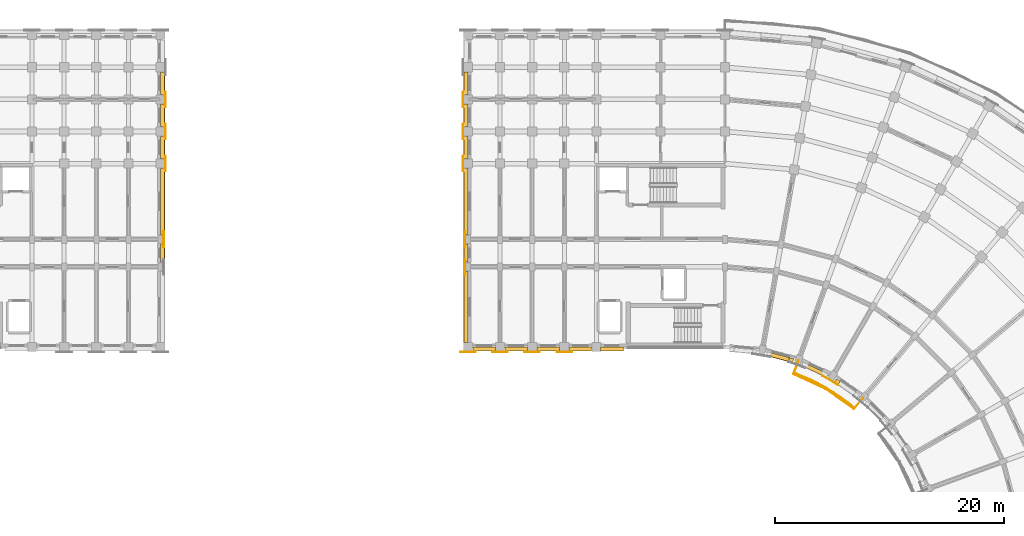
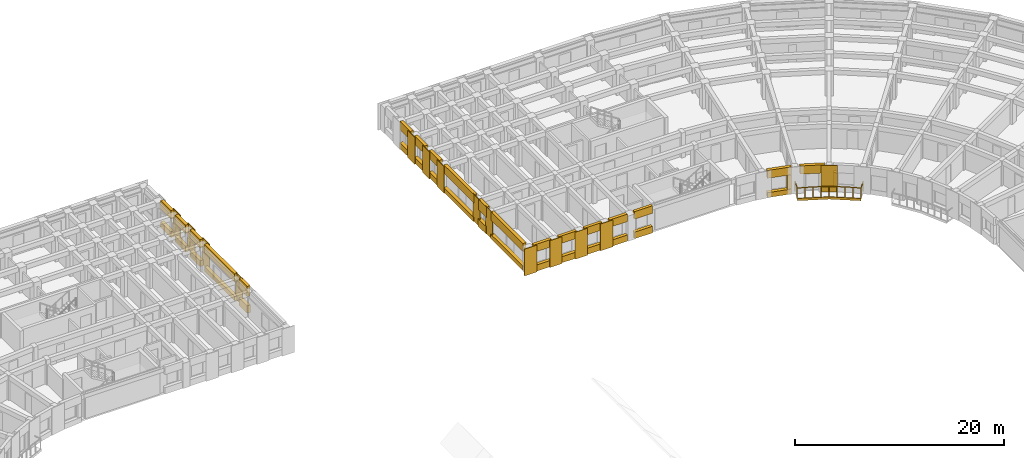
# One storey, part 48 of 54: 52 coverings, 1 railing.
"""IFC4 building model written with IfcOpenShell, lengths in metres."""

from ifc_helpers import new_model, si_unit, direction, frame, origin, origin_2d, place, context, subcontext, project, spatial, polyline, circle, outline, extrude, material, layer, layer_set, type_object, element, save


model = new_model("IFC4")

# Units and contexts
model_context = context("Model", 3, precision=1e-05, world=origin(), true_north=direction((0.0, 1.0)))
body_context = subcontext(model_context, "Body", "Model", "MODEL_VIEW")
ifc_project = project(units=[si_unit("LENGTHUNIT", "METRE"), si_unit("AREAUNIT", "SQUARE_METRE"), si_unit("VOLUMEUNIT", "CUBIC_METRE"), si_unit("PLANEANGLEUNIT", "RADIAN"), si_unit("MASSUNIT", "GRAM", prefix="KILO")], contexts=[model_context])

# Site, building, storey
site_placement = place(None, origin())
site = spatial("IfcSite", under=ifc_project, at=site_placement, CompositionType="ELEMENT")
building_placement = place(site_placement, origin())
building = spatial("IfcBuilding", under=site, at=building_placement, Name="Kiranvali Square Residences", CompositionType="ELEMENT")
storey_placement = place(building_placement, frame((0.0, 0.0, 11.85009765625)))
storey = spatial("IfcBuildingStorey", under=building, at=storey_placement, Name="L03", CompositionType="ELEMENT", Elevation=11.85009765625)

# Coverings
ifc_material_1 = material(Name="Carved Porbandar limestone classical entablature and cornice", Category="masonry")
ifc_layer_1 = layer(ifc_material_1, 0.06201171875)
ifc_layer_set_1 = layer_set([ifc_layer_1], Name="Carved Porbandar limestone classical entablature and cornice")
covering_type_1 = type_object("IfcCoveringType", Name="COV-CLAD-GBAL", PredefinedType="CLADDING", material=ifc_layer_set_1)
covering_1_placement = place(storey_placement, frame((0.0, 0.0, -0.22021484375)))
element("IfcCovering", 1, at=covering_1_placement, inside=storey, type_object=covering_type_1, Name="Block B L03 garden balcony limestone fascia 1", PredefinedType="CLADDING", context=body_context, shape_type="SweptSolid", body=[
    extrude(outline(polyline([(125.778564453125, 104.225830078125), (128.5400390625, 102.938232421875), (131.035888671875, 101.1904296875), (131.07958984375, 101.242431640625), (128.573974609375, 102.9970703125), (125.8017578125, 104.289794921875), (125.778564453125, 104.225830078125)])), origin(), (0.0, 0.0, 1.0), 0.27001953125),
])
ifc_material_2 = material(Name="Honed Porbandar limestone ashlar facade cladding", Category="masonry")
ifc_layer_2 = layer(ifc_material_2, 0.3798828125)
ifc_layer_set_2 = layer_set([ifc_layer_2], Name="Honed Porbandar limestone ashlar facade cladding")
covering_type_2 = type_object("IfcCoveringType", Name="COV-CLAD-JAMB", PredefinedType="CLADDING", material=ifc_layer_set_2)
covering_2_placement = place(storey_placement, frame((0.0, 0.0, 0.572021484375)))
element("IfcCovering", 2, at=covering_2_placement, inside=storey, type_object=covering_type_2, Name="L03 deep limestone window jamb reveal B-L03-GDN-01.R", PredefinedType="CLADDING", context=body_context, shape_type="SweptSolid", body=[
    extrude(outline(polyline([(125.33203125, 105.354736328125), (125.717041015625, 105.251708984375), (125.804931640625, 105.57958984375), (125.419921875, 105.682861328125), (125.33203125, 105.354736328125)])), origin(), (0.0, 0.0, 1.0), 1.64990234375),
])
covering_3_placement = place(storey_placement, frame((0.0, 0.0, 0.621826171875)))
element("IfcCovering", 3, at=covering_3_placement, inside=storey, type_object=covering_type_2, Name="L03 deep limestone window jamb reveal B-L03-GDN-03.L", PredefinedType="CLADDING", context=body_context, shape_type="SweptSolid", body=[
    extrude(outline(polyline([(129.365478515625, 103.55029296875), (129.67138671875, 103.336181640625), (129.8662109375, 103.6142578125), (129.56005859375, 103.828369140625), (129.365478515625, 103.55029296875)])), origin(), (0.0, 0.0, 1.0), 1.60009765625),
])
ifc_layer_3 = layer(ifc_material_2, 0.050048828125)
ifc_layer_set_3 = layer_set([ifc_layer_3], Name="Honed Porbandar limestone ashlar facade cladding")
covering_type_3 = type_object("IfcCoveringType", Name="COV-CLAD-PIER-IN", PredefinedType="CLADDING", material=ifc_layer_set_3)
covering_4_placement = place(storey_placement, frame((0.0, 0.0, 0.0048828125)))
element("IfcCovering", 4, at=covering_4_placement, inside=storey, type_object=covering_type_3, Name="L03 Classical garden courtyard pilaster CLAD-PRIN-B-L03-A03", PredefinedType="CLADDING", context=body_context, shape_type="SweptSolid", body=[
    extrude(outline(polyline([(128.273193359375, 104.075927734375), (129.658935546875, 103.27587890625), (129.692626953125, 103.33447265625), (128.306884765625, 104.134521484375), (128.273193359375, 104.075927734375)])), origin(), (0.0, 0.0, 1.0), 3.14013671875),
])
covering_5_placement = place(storey_placement, frame((0.0, 0.0, 0.0048828125)))
element("IfcCovering", 5, at=covering_5_placement, inside=storey, type_object=covering_type_3, Name="L03 Classical limestone pilaster casing CLAD-PRA1I-B-L03-U140", PredefinedType="CLADDING", context=body_context, shape_type="SweptSolid", body=[
    extrude(outline(polyline([(106.47998046875, 106.199462890625), (105.1201171875, 106.199462890625), (105.1201171875, 106.132080078125), (106.47998046875, 106.132080078125), (106.47998046875, 106.199462890625)])), origin(), (0.0, 0.0, 1.0), 3.14013671875),
])
covering_6_placement = place(storey_placement, frame((0.0, 0.0, 0.0048828125)))
element("IfcCovering", 6, at=covering_6_placement, inside=storey, type_object=covering_type_3, Name="L03 Classical limestone pilaster casing CLAD-PRA1I-B-L03-U167", PredefinedType="CLADDING", context=body_context, shape_type="SweptSolid", body=[
    extrude(outline(polyline([(103.679931640625, 106.199462890625), (102.320068359375, 106.199462890625), (102.320068359375, 106.132080078125), (103.679931640625, 106.132080078125), (103.679931640625, 106.199462890625)])), origin(), (0.0, 0.0, 1.0), 3.14013671875),
])
covering_7_placement = place(storey_placement, frame((0.0, 0.0, 0.0048828125)))
element("IfcCovering", 7, at=covering_7_placement, inside=storey, type_object=covering_type_3, Name="L03 Classical limestone pilaster casing CLAD-PRA1I-B-L03-U195", PredefinedType="CLADDING", context=body_context, shape_type="SweptSolid", body=[
    extrude(outline(polyline([(100.8798828125, 106.199462890625), (99.52001953125, 106.199462890625), (99.52001953125, 106.132080078125), (100.8798828125, 106.132080078125), (100.8798828125, 106.199462890625)])), origin(), (0.0, 0.0, 1.0), 3.14013671875),
])
covering_8_placement = place(storey_placement, frame((0.0, 0.0, 0.0048828125)))
element("IfcCovering", 8, at=covering_8_placement, inside=storey, type_object=covering_type_3, Name="L03 Classical limestone pilaster casing CLAD-PRA1I-B-L03-U224", PredefinedType="CLADDING", context=body_context, shape_type="SweptSolid", body=[
    extrude(outline(polyline([(98.080078125, 106.199462890625), (96.719970703125, 106.199462890625), (96.719970703125, 106.132080078125), (98.080078125, 106.132080078125), (98.080078125, 106.199462890625)])), origin(), (0.0, 0.0, 1.0), 3.14013671875),
])
ifc_layer_4 = layer(ifc_material_2, 0.054931640625)
ifc_layer_set_4 = layer_set([ifc_layer_4], Name="Honed Porbandar limestone ashlar facade cladding")
covering_type_4 = type_object("IfcCoveringType", Name="COV-CLAD-PIER-UP", PredefinedType="CLADDING", material=ifc_layer_set_4)
covering_9_placement = place(storey_placement, frame((0.0, 0.0, 0.0048828125)))
element("IfcCovering", 9, at=covering_9_placement, inside=storey, type_object=covering_type_4, Name="L03 Classical limestone pilaster casing CLAD-PRA1E-A-L03-R282", PredefinedType="CLADDING", context=body_context, shape_type="SweptSolid", body=[
    extrude(outline(polyline([(70.91796875, 115.320068359375), (70.91796875, 116.679931640625), (70.8505859375, 116.679931640625), (70.8505859375, 115.320068359375), (70.91796875, 115.320068359375)])), origin(), (0.0, 0.0, 1.0), 3.14013671875),
])
covering_10_placement = place(storey_placement, frame((0.0, 0.0, 0.0048828125)))
element("IfcCovering", 10, at=covering_10_placement, inside=storey, type_object=covering_type_4, Name="L03 Classical limestone pilaster casing CLAD-PRA1E-A-L03-R348", PredefinedType="CLADDING", context=body_context, shape_type="SweptSolid", body=[
    extrude(outline(polyline([(71.068115234375, 121.919921875), (71.068115234375, 123.280029296875), (71.00048828125, 123.280029296875), (71.00048828125, 121.919921875), (71.068115234375, 121.919921875)])), origin(), (0.0, 0.0, 1.0), 3.14013671875),
])
covering_11_placement = place(storey_placement, frame((0.0, 0.0, 0.0048828125)))
element("IfcCovering", 11, at=covering_11_placement, inside=storey, type_object=covering_type_4, Name="L03 Classical limestone pilaster casing CLAD-PRA1E-A-L03-R376", PredefinedType="CLADDING", context=body_context, shape_type="SweptSolid", body=[
    extrude(outline(polyline([(71.068115234375, 124.719970703125), (71.068115234375, 126.080078125), (71.00048828125, 126.080078125), (71.00048828125, 124.719970703125), (71.068115234375, 124.719970703125)])), origin(), (0.0, 0.0, 1.0), 3.14013671875),
])
covering_12_placement = place(storey_placement, frame((0.0, 0.0, 0.0048828125)))
element("IfcCovering", 12, at=covering_12_placement, inside=storey, type_object=covering_type_4, Name="L03 Classical limestone pilaster casing CLAD-PRA1E-A-L03-R404", PredefinedType="CLADDING", context=body_context, shape_type="SweptSolid", body=[
    extrude(outline(polyline([(71.068115234375, 127.52001953125), (71.068115234375, 128.8798828125), (71.00048828125, 128.8798828125), (71.00048828125, 127.52001953125), (71.068115234375, 127.52001953125)])), origin(), (0.0, 0.0, 1.0), 3.14013671875),
])
covering_13_placement = place(storey_placement, frame((0.0, 0.0, 0.0048828125)))
element("IfcCovering", 13, at=covering_13_placement, inside=storey, type_object=covering_type_4, Name="L03 Classical limestone pilaster casing CLAD-PRA1E-B-L03-R258", PredefinedType="CLADDING", context=body_context, shape_type="SweptSolid", body=[
    extrude(outline(polyline([(97.1494140625, 112.919921875), (97.1494140625, 114.280029296875), (97.08203125, 114.280029296875), (97.08203125, 112.919921875), (97.1494140625, 112.919921875)])), origin(), (0.0, 0.0, 1.0), 3.14013671875),
])
covering_14_placement = place(storey_placement, frame((0.0, 0.0, 0.0048828125)))
element("IfcCovering", 14, at=covering_14_placement, inside=storey, type_object=covering_type_4, Name="L03 Classical limestone pilaster casing CLAD-PRA1E-B-L03-R282", PredefinedType="CLADDING", context=body_context, shape_type="SweptSolid", body=[
    extrude(outline(polyline([(97.1494140625, 115.320068359375), (97.1494140625, 116.679931640625), (97.08203125, 116.679931640625), (97.08203125, 115.320068359375), (97.1494140625, 115.320068359375)])), origin(), (0.0, 0.0, 1.0), 3.14013671875),
])
covering_15_placement = place(storey_placement, frame((0.0, 0.0, 0.0048828125)))
element("IfcCovering", 15, at=covering_15_placement, inside=storey, type_object=covering_type_4, Name="L03 Classical limestone pilaster casing CLAD-PRA1E-B-L03-R348", PredefinedType="CLADDING", context=body_context, shape_type="SweptSolid", body=[
    extrude(outline(polyline([(96.99951171875, 121.919921875), (96.99951171875, 123.280029296875), (96.931884765625, 123.280029296875), (96.931884765625, 121.919921875), (96.99951171875, 121.919921875)])), origin(), (0.0, 0.0, 1.0), 3.14013671875),
])
covering_16_placement = place(storey_placement, frame((0.0, 0.0, 0.0048828125)))
element("IfcCovering", 16, at=covering_16_placement, inside=storey, type_object=covering_type_4, Name="L03 Classical limestone pilaster casing CLAD-PRA1E-B-L03-R376", PredefinedType="CLADDING", context=body_context, shape_type="SweptSolid", body=[
    extrude(outline(polyline([(96.99951171875, 124.719970703125), (96.99951171875, 126.080078125), (96.931884765625, 126.080078125), (96.931884765625, 124.719970703125), (96.99951171875, 124.719970703125)])), origin(), (0.0, 0.0, 1.0), 3.14013671875),
])
covering_17_placement = place(storey_placement, frame((0.0, 0.0, 0.0048828125)))
element("IfcCovering", 17, at=covering_17_placement, inside=storey, type_object=covering_type_4, Name="L03 Classical limestone pilaster casing CLAD-PRA1E-B-L03-R404", PredefinedType="CLADDING", context=body_context, shape_type="SweptSolid", body=[
    extrude(outline(polyline([(96.99951171875, 127.52001953125), (96.99951171875, 128.8798828125), (96.931884765625, 128.8798828125), (96.931884765625, 127.52001953125), (96.99951171875, 127.52001953125)])), origin(), (0.0, 0.0, 1.0), 3.14013671875),
])
ifc_layer_5 = layer(ifc_material_2, 0.360107421875)
ifc_layer_set_5 = layer_set([ifc_layer_5], Name="Honed Porbandar limestone ashlar facade cladding")
covering_type_5 = type_object("IfcCoveringType", Name="COV-CLAD-WALL", PredefinedType="CLADDING", material=ifc_layer_set_5)
covering_18_placement = place(storey_placement, frame((0.0, 0.0, 1.929931640625)))
element("IfcCovering", 18, at=covering_18_placement, inside=storey, type_object=covering_type_5, Name="L03 light limestone spandrel lintel A-L03-A1END-1", PredefinedType="CLADDING", context=body_context, shape_type="SweptSolid", body=[
    extrude(outline(polyline([(70.93994140625, 114.02001953125), (70.93994140625, 115.580078125), (70.6005859375, 115.580078125), (70.6005859375, 114.02001953125), (70.93994140625, 114.02001953125)])), origin(), (0.0, 0.0, 1.0), 1.215087890625),
])
covering_19_placement = place(storey_placement, frame((0.0, 0.0, 0.0048828125)))
element("IfcCovering", 19, at=covering_19_placement, inside=storey, type_object=covering_type_5, Name="L03 limestone window sill apron A-L03-A1END-1", PredefinedType="CLADDING", context=body_context, shape_type="SweptSolid", body=[
    extrude(outline(polyline([(70.969970703125, 114.02001953125), (70.969970703125, 115.580078125), (70.6005859375, 115.580078125), (70.6005859375, 114.02001953125), (70.969970703125, 114.02001953125)])), origin(), (0.0, 0.0, 1.0), 0.875),
])
covering_20_placement = place(storey_placement, frame((0.0, 0.0, 2.171875)))
element("IfcCovering", 20, at=covering_20_placement, inside=storey, type_object=covering_type_5, Name="L03 light limestone spandrel lintel A-L03-A1END-2", PredefinedType="CLADDING", context=body_context, shape_type="SweptSolid", body=[
    extrude(outline(polyline([(70.93994140625, 116.419921875), (70.93994140625, 122.179931640625), (70.6005859375, 122.179931640625), (70.6005859375, 116.419921875), (70.93994140625, 116.419921875)])), origin(), (0.0, 0.0, 1.0), 0.97314453125),
])
covering_21_placement = place(storey_placement, frame((0.0, 0.0, 0.0048828125)))
element("IfcCovering", 21, at=covering_21_placement, inside=storey, type_object=covering_type_5, Name="L03 limestone window sill apron A-L03-A1END-2", PredefinedType="CLADDING", context=body_context, shape_type="SweptSolid", body=[
    extrude(outline(polyline([(70.969970703125, 116.419921875), (70.969970703125, 122.179931640625), (70.6005859375, 122.179931640625), (70.6005859375, 116.419921875), (70.969970703125, 116.419921875)])), origin(), (0.0, 0.0, 1.0), 0.51708984375),
])
covering_22_placement = place(storey_placement, frame((0.0, 0.0, 2.171875)))
element("IfcCovering", 22, at=covering_22_placement, inside=storey, type_object=covering_type_5, Name="L03 light limestone spandrel lintel A-L03-A1END-3", PredefinedType="CLADDING", context=body_context, shape_type="SweptSolid", body=[
    extrude(outline(polyline([(70.93994140625, 123.02001953125), (70.93994140625, 124.97998046875), (70.6005859375, 124.97998046875), (70.6005859375, 123.02001953125), (70.93994140625, 123.02001953125)])), origin(), (0.0, 0.0, 1.0), 0.97314453125),
])
covering_23_placement = place(storey_placement, frame((0.0, 0.0, 0.0048828125)))
element("IfcCovering", 23, at=covering_23_placement, inside=storey, type_object=covering_type_5, Name="L03 limestone window sill apron A-L03-A1END-3", PredefinedType="CLADDING", context=body_context, shape_type="SweptSolid", body=[
    extrude(outline(polyline([(70.969970703125, 123.02001953125), (70.969970703125, 124.97998046875), (70.6005859375, 124.97998046875), (70.6005859375, 123.02001953125), (70.969970703125, 123.02001953125)])), origin(), (0.0, 0.0, 1.0), 0.6669921875),
])
covering_24_placement = place(storey_placement, frame((0.0, 0.0, 2.171875)))
element("IfcCovering", 24, at=covering_24_placement, inside=storey, type_object=covering_type_5, Name="L03 light limestone spandrel lintel A-L03-A1END-4", PredefinedType="CLADDING", context=body_context, shape_type="SweptSolid", body=[
    extrude(outline(polyline([(70.93994140625, 125.820068359375), (70.93994140625, 127.780029296875), (70.6005859375, 127.780029296875), (70.6005859375, 125.820068359375), (70.93994140625, 125.820068359375)])), origin(), (0.0, 0.0, 1.0), 0.97314453125),
])
covering_25_placement = place(storey_placement, frame((0.0, 0.0, 0.0048828125)))
element("IfcCovering", 25, at=covering_25_placement, inside=storey, type_object=covering_type_5, Name="L03 limestone window sill apron A-L03-A1END-4", PredefinedType="CLADDING", context=body_context, shape_type="SweptSolid", body=[
    extrude(outline(polyline([(70.969970703125, 125.820068359375), (70.969970703125, 127.780029296875), (70.6005859375, 127.780029296875), (70.6005859375, 125.820068359375), (70.969970703125, 125.820068359375)])), origin(), (0.0, 0.0, 1.0), 0.6669921875),
])
covering_26_placement = place(storey_placement, frame((0.0, 0.0, 2.171875)))
element("IfcCovering", 26, at=covering_26_placement, inside=storey, type_object=covering_type_5, Name="L03 light limestone spandrel lintel A-L03-A1END-5", PredefinedType="CLADDING", context=body_context, shape_type="SweptSolid", body=[
    extrude(outline(polyline([(70.93994140625, 128.6201171875), (70.93994140625, 130.580078125), (70.6005859375, 130.580078125), (70.6005859375, 128.6201171875), (70.93994140625, 128.6201171875)])), origin(), (0.0, 0.0, 1.0), 0.97314453125),
])
covering_27_placement = place(storey_placement, frame((0.0, 0.0, 0.0048828125)))
element("IfcCovering", 27, at=covering_27_placement, inside=storey, type_object=covering_type_5, Name="L03 limestone window sill apron A-L03-A1END-5", PredefinedType="CLADDING", context=body_context, shape_type="SweptSolid", body=[
    extrude(outline(polyline([(70.969970703125, 128.6201171875), (70.969970703125, 130.580078125), (70.6005859375, 130.580078125), (70.6005859375, 128.6201171875), (70.969970703125, 128.6201171875)])), origin(), (0.0, 0.0, 1.0), 0.6669921875),
])
covering_28_placement = place(storey_placement, frame((0.0, 0.0, 2.221923828125)))
element("IfcCovering", 28, at=covering_28_placement, inside=storey, type_object=covering_type_5, Name="L03 light limestone spandrel lintel B-L03-GDN-01", PredefinedType="CLADDING", context=body_context, shape_type="SweptSolid", body=[
    extrude(outline(polyline([(123.401611328125, 105.8720703125), (125.717041015625, 105.251708984375), (125.804931640625, 105.57958984375), (123.489501953125, 106.199951171875), (123.401611328125, 105.8720703125)])), origin(), (0.0, 0.0, 1.0), 0.923095703125),
])
covering_29_placement = place(storey_placement, frame((0.0, 0.0, 2.179931640625)))
element("IfcCovering", 29, at=covering_29_placement, inside=storey, type_object=covering_type_5, Name="L03 light limestone spandrel lintel B-L03-GDN-02", PredefinedType="CLADDING", context=body_context, shape_type="SweptSolid", body=[
    extrude(outline(polyline([(126.485107421875, 104.97216796875), (128.657470703125, 103.958984375), (128.801025390625, 104.266845703125), (126.62841796875, 105.27978515625), (126.485107421875, 104.97216796875)])), origin(), (0.0, 0.0, 1.0), 0.965087890625),
])
covering_30_placement = place(storey_placement, frame((0.0, 0.0, 2.27197265625)))
element("IfcCovering", 30, at=covering_30_placement, inside=storey, type_object=covering_type_5, Name="L03 light limestone spandrel lintel B-L03-A1IN-0", PredefinedType="CLADDING", context=body_context, shape_type="SweptSolid", body=[
    extrude(outline(polyline([(110.949951171875, 106.599609375), (108.949951171875, 106.599609375), (108.949951171875, 106.280029296875), (110.949951171875, 106.280029296875), (110.949951171875, 106.599609375)])), origin(), (0.0, 0.0, 1.0), 0.873046875),
])
covering_31_placement = place(storey_placement, frame((0.0, 0.0, 0.0048828125)))
element("IfcCovering", 31, at=covering_31_placement, inside=storey, type_object=covering_type_5, Name="L03 limestone window sill apron B-L03-A1IN-0", PredefinedType="CLADDING", context=body_context, shape_type="SweptSolid", body=[
    extrude(outline(polyline([(110.949951171875, 106.599609375), (108.949951171875, 106.599609375), (108.949951171875, 106.25), (110.949951171875, 106.25), (110.949951171875, 106.599609375)])), origin(), (0.0, 0.0, 1.0), 0.76708984375),
])
covering_32_placement = place(storey_placement, frame((0.0, 0.0, 2.27197265625)))
element("IfcCovering", 32, at=covering_32_placement, inside=storey, type_object=covering_type_5, Name="L03 light limestone spandrel lintel B-L03-A1I-0", PredefinedType="CLADDING", context=body_context, shape_type="SweptSolid", body=[
    extrude(outline(polyline([(108.179931640625, 106.599609375), (106.219970703125, 106.599609375), (106.219970703125, 106.280029296875), (108.179931640625, 106.280029296875), (108.179931640625, 106.599609375)])), origin(), (0.0, 0.0, 1.0), 0.873046875),
])
covering_33_placement = place(storey_placement, frame((0.0, 0.0, 0.0048828125)))
element("IfcCovering", 33, at=covering_33_placement, inside=storey, type_object=covering_type_5, Name="L03 limestone window sill apron B-L03-A1I-0", PredefinedType="CLADDING", context=body_context, shape_type="SweptSolid", body=[
    extrude(outline(polyline([(108.179931640625, 106.599609375), (106.219970703125, 106.599609375), (106.219970703125, 106.25), (108.179931640625, 106.25), (108.179931640625, 106.599609375)])), origin(), (0.0, 0.0, 1.0), 0.717041015625),
])
covering_34_placement = place(storey_placement, frame((0.0, 0.0, 2.27197265625)))
element("IfcCovering", 34, at=covering_34_placement, inside=storey, type_object=covering_type_5, Name="L03 light limestone spandrel lintel B-L03-A1I-1", PredefinedType="CLADDING", context=body_context, shape_type="SweptSolid", body=[
    extrude(outline(polyline([(105.3798828125, 106.599609375), (103.419921875, 106.599609375), (103.419921875, 106.280029296875), (105.3798828125, 106.280029296875), (105.3798828125, 106.599609375)])), origin(), (0.0, 0.0, 1.0), 0.873046875),
])
covering_35_placement = place(storey_placement, frame((0.0, 0.0, 0.0048828125)))
element("IfcCovering", 35, at=covering_35_placement, inside=storey, type_object=covering_type_5, Name="L03 limestone window sill apron B-L03-A1I-1", PredefinedType="CLADDING", context=body_context, shape_type="SweptSolid", body=[
    extrude(outline(polyline([(105.3798828125, 106.599609375), (103.419921875, 106.599609375), (103.419921875, 106.25), (105.3798828125, 106.25), (105.3798828125, 106.599609375)])), origin(), (0.0, 0.0, 1.0), 0.717041015625),
])
covering_36_placement = place(storey_placement, frame((0.0, 0.0, 2.27197265625)))
element("IfcCovering", 36, at=covering_36_placement, inside=storey, type_object=covering_type_5, Name="L03 light limestone spandrel lintel B-L03-A1I-2", PredefinedType="CLADDING", context=body_context, shape_type="SweptSolid", body=[
    extrude(outline(polyline([(102.580078125, 106.599609375), (100.6201171875, 106.599609375), (100.6201171875, 106.280029296875), (102.580078125, 106.280029296875), (102.580078125, 106.599609375)])), origin(), (0.0, 0.0, 1.0), 0.873046875),
])
covering_37_placement = place(storey_placement, frame((0.0, 0.0, 0.0048828125)))
element("IfcCovering", 37, at=covering_37_placement, inside=storey, type_object=covering_type_5, Name="L03 limestone window sill apron B-L03-A1I-2", PredefinedType="CLADDING", context=body_context, shape_type="SweptSolid", body=[
    extrude(outline(polyline([(102.580078125, 106.599609375), (100.6201171875, 106.599609375), (100.6201171875, 106.25), (102.580078125, 106.25), (102.580078125, 106.599609375)])), origin(), (0.0, 0.0, 1.0), 0.717041015625),
])
covering_38_placement = place(storey_placement, frame((0.0, 0.0, 2.27197265625)))
element("IfcCovering", 38, at=covering_38_placement, inside=storey, type_object=covering_type_5, Name="L03 light limestone spandrel lintel B-L03-A1I-3", PredefinedType="CLADDING", context=body_context, shape_type="SweptSolid", body=[
    extrude(outline(polyline([(99.780029296875, 106.599609375), (97.820068359375, 106.599609375), (97.820068359375, 106.280029296875), (99.780029296875, 106.280029296875), (99.780029296875, 106.599609375)])), origin(), (0.0, 0.0, 1.0), 0.873046875),
])
covering_39_placement = place(storey_placement, frame((0.0, 0.0, 0.0048828125)))
element("IfcCovering", 39, at=covering_39_placement, inside=storey, type_object=covering_type_5, Name="L03 limestone window sill apron B-L03-A1I-3", PredefinedType="CLADDING", context=body_context, shape_type="SweptSolid", body=[
    extrude(outline(polyline([(99.780029296875, 106.599609375), (97.820068359375, 106.599609375), (97.820068359375, 106.25), (99.780029296875, 106.25), (99.780029296875, 106.599609375)])), origin(), (0.0, 0.0, 1.0), 0.717041015625),
])
covering_40_placement = place(storey_placement, frame((0.0, 0.0, 2.171875)))
element("IfcCovering", 40, at=covering_40_placement, inside=storey, type_object=covering_type_5, Name="L03 light limestone spandrel lintel B-L03-A1END-0", PredefinedType="CLADDING", context=body_context, shape_type="SweptSolid", body=[
    extrude(outline(polyline([(97.3994140625, 107.02001953125), (97.3994140625, 113.179931640625), (97.06005859375, 113.179931640625), (97.06005859375, 107.02001953125), (97.3994140625, 107.02001953125)])), origin(), (0.0, 0.0, 1.0), 0.97314453125),
])
covering_41_placement = place(storey_placement, frame((0.0, 0.0, 0.0048828125)))
element("IfcCovering", 41, at=covering_41_placement, inside=storey, type_object=covering_type_5, Name="L03 limestone window sill apron B-L03-A1END-0", PredefinedType="CLADDING", context=body_context, shape_type="SweptSolid", body=[
    extrude(outline(polyline([(97.3994140625, 107.02001953125), (97.3994140625, 113.179931640625), (97.030029296875, 113.179931640625), (97.030029296875, 107.02001953125), (97.3994140625, 107.02001953125)])), origin(), (0.0, 0.0, 1.0), 0.51708984375),
])
covering_42_placement = place(storey_placement, frame((0.0, 0.0, 1.929931640625)))
element("IfcCovering", 42, at=covering_42_placement, inside=storey, type_object=covering_type_5, Name="L03 light limestone spandrel lintel B-L03-A1END-1", PredefinedType="CLADDING", context=body_context, shape_type="SweptSolid", body=[
    extrude(outline(polyline([(97.3994140625, 114.02001953125), (97.3994140625, 115.580078125), (97.06005859375, 115.580078125), (97.06005859375, 114.02001953125), (97.3994140625, 114.02001953125)])), origin(), (0.0, 0.0, 1.0), 1.215087890625),
])
covering_43_placement = place(storey_placement, frame((0.0, 0.0, 0.0048828125)))
element("IfcCovering", 43, at=covering_43_placement, inside=storey, type_object=covering_type_5, Name="L03 limestone window sill apron B-L03-A1END-1", PredefinedType="CLADDING", context=body_context, shape_type="SweptSolid", body=[
    extrude(outline(polyline([(97.3994140625, 114.02001953125), (97.3994140625, 115.580078125), (97.030029296875, 115.580078125), (97.030029296875, 114.02001953125), (97.3994140625, 114.02001953125)])), origin(), (0.0, 0.0, 1.0), 0.875),
])
covering_44_placement = place(storey_placement, frame((0.0, 0.0, 2.171875)))
element("IfcCovering", 44, at=covering_44_placement, inside=storey, type_object=covering_type_5, Name="L03 light limestone spandrel lintel B-L03-A1END-2", PredefinedType="CLADDING", context=body_context, shape_type="SweptSolid", body=[
    extrude(outline(polyline([(97.3994140625, 116.419921875), (97.3994140625, 122.179931640625), (97.06005859375, 122.179931640625), (97.06005859375, 116.419921875), (97.3994140625, 116.419921875)])), origin(), (0.0, 0.0, 1.0), 0.97314453125),
])
covering_45_placement = place(storey_placement, frame((0.0, 0.0, 0.0048828125)))
element("IfcCovering", 45, at=covering_45_placement, inside=storey, type_object=covering_type_5, Name="L03 limestone window sill apron B-L03-A1END-2", PredefinedType="CLADDING", context=body_context, shape_type="SweptSolid", body=[
    extrude(outline(polyline([(97.3994140625, 116.419921875), (97.3994140625, 122.179931640625), (97.030029296875, 122.179931640625), (97.030029296875, 116.419921875), (97.3994140625, 116.419921875)])), origin(), (0.0, 0.0, 1.0), 0.51708984375),
])
covering_46_placement = place(storey_placement, frame((0.0, 0.0, 2.171875)))
element("IfcCovering", 46, at=covering_46_placement, inside=storey, type_object=covering_type_5, Name="L03 light limestone spandrel lintel B-L03-A1END-3", PredefinedType="CLADDING", context=body_context, shape_type="SweptSolid", body=[
    extrude(outline(polyline([(97.3994140625, 123.02001953125), (97.3994140625, 124.97998046875), (97.06005859375, 124.97998046875), (97.06005859375, 123.02001953125), (97.3994140625, 123.02001953125)])), origin(), (0.0, 0.0, 1.0), 0.97314453125),
])
covering_47_placement = place(storey_placement, frame((0.0, 0.0, 0.0048828125)))
element("IfcCovering", 47, at=covering_47_placement, inside=storey, type_object=covering_type_5, Name="L03 limestone window sill apron B-L03-A1END-3", PredefinedType="CLADDING", context=body_context, shape_type="SweptSolid", body=[
    extrude(outline(polyline([(97.3994140625, 123.02001953125), (97.3994140625, 124.97998046875), (97.030029296875, 124.97998046875), (97.030029296875, 123.02001953125), (97.3994140625, 123.02001953125)])), origin(), (0.0, 0.0, 1.0), 0.6669921875),
])
covering_48_placement = place(storey_placement, frame((0.0, 0.0, 2.171875)))
element("IfcCovering", 48, at=covering_48_placement, inside=storey, type_object=covering_type_5, Name="L03 light limestone spandrel lintel B-L03-A1END-4", PredefinedType="CLADDING", context=body_context, shape_type="SweptSolid", body=[
    extrude(outline(polyline([(97.3994140625, 125.820068359375), (97.3994140625, 127.780029296875), (97.06005859375, 127.780029296875), (97.06005859375, 125.820068359375), (97.3994140625, 125.820068359375)])), origin(), (0.0, 0.0, 1.0), 0.97314453125),
])
covering_49_placement = place(storey_placement, frame((0.0, 0.0, 0.0048828125)))
element("IfcCovering", 49, at=covering_49_placement, inside=storey, type_object=covering_type_5, Name="L03 limestone window sill apron B-L03-A1END-4", PredefinedType="CLADDING", context=body_context, shape_type="SweptSolid", body=[
    extrude(outline(polyline([(97.3994140625, 125.820068359375), (97.3994140625, 127.780029296875), (97.030029296875, 127.780029296875), (97.030029296875, 125.820068359375), (97.3994140625, 125.820068359375)])), origin(), (0.0, 0.0, 1.0), 0.6669921875),
])
covering_50_placement = place(storey_placement, frame((0.0, 0.0, 2.171875)))
element("IfcCovering", 50, at=covering_50_placement, inside=storey, type_object=covering_type_5, Name="L03 light limestone spandrel lintel B-L03-A1END-5", PredefinedType="CLADDING", context=body_context, shape_type="SweptSolid", body=[
    extrude(outline(polyline([(97.3994140625, 128.6201171875), (97.3994140625, 130.580078125), (97.06005859375, 130.580078125), (97.06005859375, 128.6201171875), (97.3994140625, 128.6201171875)])), origin(), (0.0, 0.0, 1.0), 0.97314453125),
])
covering_51_placement = place(storey_placement, frame((0.0, 0.0, 0.0048828125)))
element("IfcCovering", 51, at=covering_51_placement, inside=storey, type_object=covering_type_5, Name="L03 limestone window sill apron B-L03-A1END-5", PredefinedType="CLADDING", context=body_context, shape_type="SweptSolid", body=[
    extrude(outline(polyline([(97.3994140625, 128.6201171875), (97.3994140625, 130.580078125), (97.030029296875, 130.580078125), (97.030029296875, 128.6201171875), (97.3994140625, 128.6201171875)])), origin(), (0.0, 0.0, 1.0), 0.6669921875),
])
ifc_layer_6 = layer(ifc_material_2, 0.2900390625)
ifc_layer_set_6 = layer_set([ifc_layer_6], Name="Honed Porbandar limestone ashlar facade cladding")
covering_type_6 = type_object("IfcCoveringType", Name="COV-CLAD-WALL-IN", PredefinedType="CLADDING", material=ifc_layer_set_6)
covering_52_placement = place(storey_placement, frame((0.0, 0.0, 0.0048828125)))
element("IfcCovering", 52, at=covering_52_placement, inside=storey, type_object=covering_type_6, Name="L03 limestone window sill apron B-L03-GDN-01", PredefinedType="CLADDING", context=body_context, shape_type="SweptSolid", body=[
    extrude(outline(polyline([(123.393798828125, 105.843017578125), (125.709228515625, 105.22265625), (125.804931640625, 105.57958984375), (123.489501953125, 106.199951171875), (123.393798828125, 105.843017578125)])), origin(), (0.0, 0.0, 1.0), 0.567138671875),
])

# Railing
ifc_material_3 = material(Name="Powder-coated architectural bronze balustrade", Category="steel")
railing_type = type_object("IfcRailingType", Name="RL-BAL-GOLD-1200", PredefinedType="BALUSTRADE", material=ifc_material_3)
railing_placement = place(storey_placement, frame((126.21630859375, 105.4287109375, 0.0)))
element("IfcRailing", 53, at=railing_placement, inside=storey, type_object=railing_type, Name="Block B L03 garden balcony gold balustrade 1", PredefinedType="BALUSTRADE", context=body_context, shape_type="SweptSolid", body=[
    extrude(circle(Radius=0.02392578125, at=origin_2d()), frame((0.0, 0.0, 1.17578125), z_axis=(-0.341964618562, -0.939712828289, 0.0), x_axis=(0.939712828289, -0.341964618562, 0.0)), (0.0, 0.0, 1.0), 1.150146484375),
    extrude(circle(Radius=0.02392578125, at=origin_2d()), frame((-0.393310546875, -1.080810546875, 1.17578125), z_axis=(0.923892883829, -0.382651197843, 0.0), x_axis=(0.382651197843, 0.923892883829, 0.0)), (0.0, 0.0, 1.0), 1.536376953125),
    extrude(circle(Radius=0.02392578125, at=origin_2d()), frame((1.026123046875, -1.668701171875, 1.17578125), z_axis=(0.887029366154, -0.461713009976, 0.0), x_axis=(0.461713009976, 0.887029366154, 0.0)), (0.0, 0.0, 1.0), 1.5361328125),
    extrude(circle(Radius=0.02392578125, at=origin_2d()), frame((2.388671875, -2.3779296875, 1.17578125), z_axis=(0.843386539688, -0.537307309343, 0.0), x_axis=(0.537307309343, 0.843386539688, 0.0)), (0.0, 0.0, 1.0), 1.5361328125),
    extrude(circle(Radius=0.02392578125, at=origin_2d()), frame((3.684326171875, -3.203369140625, 1.17578125), z_axis=(0.793314680996, -0.608811807471, 0.0), x_axis=(0.608811807471, 0.793314680996, 0.0)), (0.0, 0.0, 1.0), 1.536376953125),
    extrude(circle(Radius=0.02392578125, at=origin_2d()), frame((4.903076171875, -4.138671875, 1.17578125), z_axis=(0.642853454051, 0.765989188314, 0.0), x_axis=(-0.765989188314, 0.642853454051, 0.0)), (0.0, 0.0, 1.0), 1.14990234375),
    extrude(circle(Radius=0.02099609375, at=origin_2d()), origin(), (0.0, 0.0, 1.0), 1.15185546875),
    extrude(circle(Radius=0.02099609375, at=origin_2d()), frame((-0.393310546875, -1.080810546875, 0.0)), (0.0, 0.0, 1.0), 1.15185546875),
    extrude(circle(Radius=0.02099609375, at=origin_2d()), frame((0.31640625, -1.374755859375, 0.0)), (0.0, 0.0, 1.0), 1.15185546875),
    extrude(circle(Radius=0.02099609375, at=origin_2d()), frame((1.026123046875, -1.668701171875, 0.0)), (0.0, 0.0, 1.0), 1.15185546875),
    extrude(circle(Radius=0.02099609375, at=origin_2d()), frame((1.70751953125, -2.0234375, 0.0)), (0.0, 0.0, 1.0), 1.15185546875),
    extrude(circle(Radius=0.02099609375, at=origin_2d()), frame((2.388671875, -2.3779296875, 0.0)), (0.0, 0.0, 1.0), 1.15185546875),
    extrude(circle(Radius=0.02099609375, at=origin_2d()), frame((3.03662109375, -2.79052734375, 0.0)), (0.0, 0.0, 1.0), 1.15185546875),
    extrude(circle(Radius=0.02099609375, at=origin_2d()), frame((3.684326171875, -3.203369140625, 0.0)), (0.0, 0.0, 1.0), 1.15185546875),
    extrude(circle(Radius=0.02099609375, at=origin_2d()), frame((4.293701171875, -3.6708984375, 0.0)), (0.0, 0.0, 1.0), 1.15185546875),
    extrude(circle(Radius=0.02099609375, at=origin_2d()), frame((4.903076171875, -4.138671875, 0.0)), (0.0, 0.0, 1.0), 1.15185546875),
    extrude(circle(Radius=0.02099609375, at=origin_2d()), frame((5.642333984375, -3.2578125, 0.0)), (0.0, 0.0, 1.0), 1.15185546875),
])

save(model, "model.ifc")
